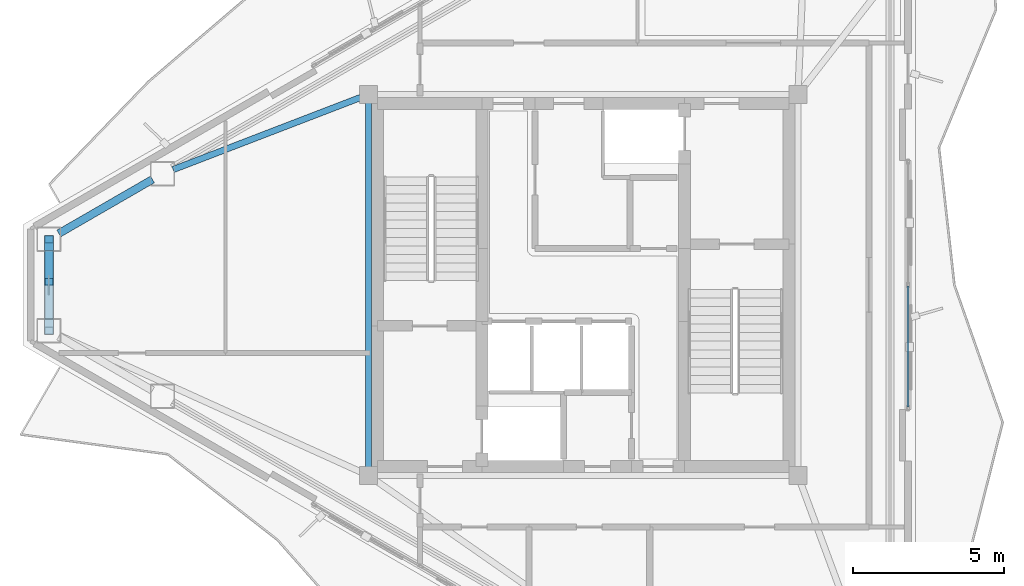
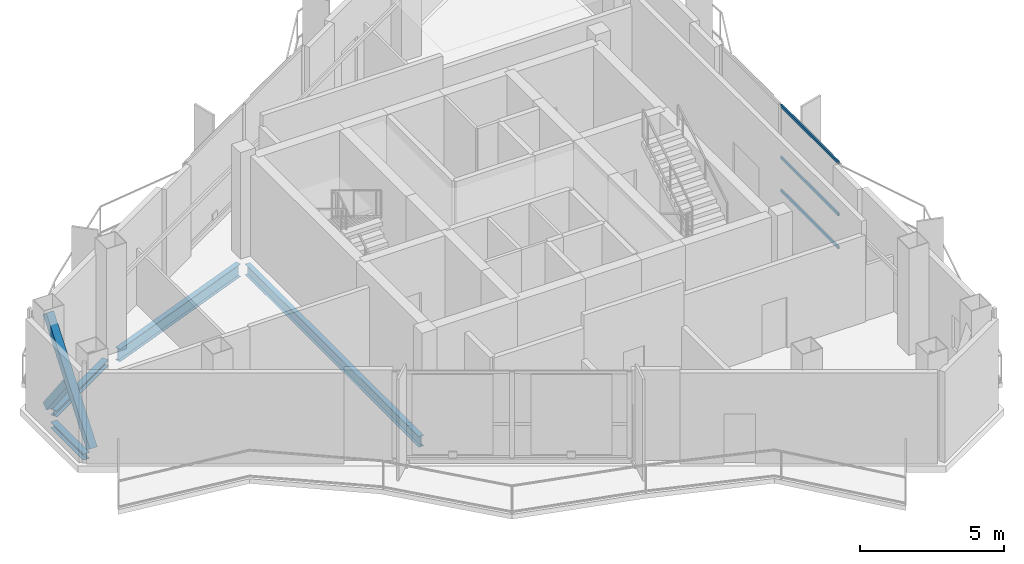
# One storey, part 5 of 14: 5 members, 4 beams, 1 element without a shape of its own.
"""IFC4 building model written with IfcOpenShell, lengths in metres."""

from ifc_helpers import new_model, si_unit, direction, frame, origin, origin_2d, place, context, subcontext, project, spatial, hollow_rectangle, i_section, extrude, material, layer, layer_set, material_profile, profile_set, type_object, element, aggregate, save


model = new_model("IFC4")

# Units and contexts
model_context = context("Model", 3, precision=1e-05, world=origin(), true_north=direction((0.0, 1.0)))
body_context = subcontext(model_context, "Body", "Model", "MODEL_VIEW")
ifc_project = project(units=[si_unit("LENGTHUNIT", "METRE"), si_unit("AREAUNIT", "SQUARE_METRE"), si_unit("VOLUMEUNIT", "CUBIC_METRE"), si_unit("PLANEANGLEUNIT", "RADIAN"), si_unit("MASSUNIT", "GRAM", prefix="KILO")], contexts=[model_context])

# Site, building, storey
site_placement = place(None, origin())
site = spatial("IfcSite", under=ifc_project, at=site_placement, CompositionType="ELEMENT")
building_placement = place(site_placement, origin())
building = spatial("IfcBuilding", under=site, at=building_placement, Name="Mersakhor Tower and Convention Hall", CompositionType="ELEMENT")
storey_placement = place(building_placement, frame((0.0, 0.0, 249.60009765625)))
storey = spatial("IfcBuildingStorey", under=building, at=storey_placement, Name="L70", CompositionType="ELEMENT", Elevation=249.60009765625)

# Beams
ifc_material_1 = material(Name="Steel S355", Category="steel")
ifc_material_profile_1 = material_profile(ifc_material_1, i_section(OverallWidth=0.19140625, OverallDepth=0.4599609375, WebThickness=0.010009765625, FlangeThickness=0.01611328125, at=origin_2d()), Name="UB 457x191x82")
ifc_profile_set_1 = profile_set([ifc_material_profile_1], Name="Steel S355")
beam_type_1 = type_object("IfcBeamType", Name="BM-FB-457", PredefinedType="BEAM", material=ifc_profile_set_1)
beam_1_placement = place(storey_placement, frame((21.89990234375, 20.72998046875, -0.510009765625), z_axis=(0.0, 1.0, 0.0), x_axis=(-1.0, 0.0, 0.0)))
element("IfcBeam", 1, at=beam_1_placement, inside=storey, type_object=beam_type_1, Name="L70 Core Ring Tie Beam CRB-1", PredefinedType="BEAM", context=body_context, shape_type="SweptSolid", body=[
    extrude(i_section(OverallWidth=0.19140625, OverallDepth=0.4599609375, WebThickness=0.010009765625, FlangeThickness=0.01611328125, at=origin_2d()), origin(), (0.0, 0.0, 1.0), 12.0400390625),
])
ifc_material_2 = material(Name="Steel S355", Category="steel")
ifc_material_profile_2 = material_profile(ifc_material_2, i_section(OverallWidth=0.2099609375, OverallDepth=0.53662109375, WebThickness=0.0107421875, FlangeThickness=0.017333984375, at=origin_2d()), Name="UB 533x210x101")
ifc_profile_set_2 = profile_set([ifc_material_profile_2], Name="Steel S355")
beam_type_2 = type_object("IfcBeamType", Name="BM-FB-533", PredefinedType="BEAM", material=ifc_profile_set_2)
beam_2_placement = place(storey_placement, frame((21.638671875, 32.949462890625, -0.548583984375), z_axis=(-0.933316231297, -0.359055444741, 0.0), x_axis=(0.359055444741, -0.933316231297, 0.0)))
element("IfcBeam", 2, at=beam_2_placement, inside=storey, type_object=beam_type_2, Name="L70 Primary Floor Girder FG-1", PredefinedType="BEAM", context=body_context, shape_type="SweptSolid", body=[
    extrude(i_section(OverallWidth=0.2099609375, OverallDepth=0.53662109375, WebThickness=0.0107421875, FlangeThickness=0.017333984375, at=origin_2d()), origin(), (0.0, 0.0, 1.0), 6.64111328125),
])
ifc_material_3 = material(Name="Steel S355", Category="steel")
ifc_material_profile_3 = material_profile(ifc_material_3, i_section(OverallWidth=0.25634765625, OverallDepth=0.26025390625, WebThickness=0.01025390625, FlangeThickness=0.017333984375, at=origin_2d()), Name="UC 254x254x89")
ifc_profile_set_3 = profile_set([ifc_material_profile_3], Name="Steel S355")
beam_type_3 = type_object("IfcBeamType", Name="BM-SPD-UC254", PredefinedType="SPANDREL", material=ifc_profile_set_3)
beam_3_placement = place(storey_placement, frame((11.6611328125, 28.451416015625, -0.41015625), z_axis=(0.866032030752, 0.499988521579, 0.0), x_axis=(-0.499988521579, 0.866032030752, 0.0)))
element("IfcBeam", 3, at=beam_3_placement, inside=storey, type_object=beam_type_3, Name="L70 Perimeter Spandrel Beam SPB-01", PredefinedType="SPANDREL", context=body_context, shape_type="SweptSolid", body=[
    extrude(i_section(OverallWidth=0.25634765625, OverallDepth=0.26025390625, WebThickness=0.01025390625, FlangeThickness=0.017333984375, at=origin_2d()), origin(), (0.0, 0.0, 1.0), 3.57421875),
])
beam_4_placement = place(storey_placement, frame((11.33203125, 25.61865234375, -0.41015625), z_axis=(0.0, 1.0, 0.0), x_axis=(-1.0, 0.0, 0.0)))
element("IfcBeam", 4, at=beam_4_placement, inside=storey, type_object=beam_type_3, Name="L70 Perimeter Spandrel Beam SPB-12", PredefinedType="SPANDREL", context=body_context, shape_type="SweptSolid", body=[
    extrude(i_section(OverallWidth=0.25634765625, OverallDepth=0.26025390625, WebThickness=0.01025390625, FlangeThickness=0.017333984375, at=origin_2d()), origin(), (0.0, 0.0, 1.0), 2.2626953125),
])

# Curtain wall, members
ifc_material_4 = material(Name="Dark solar low-E aluminium curtain wall", Category="aluminium")
ifc_layer = layer(ifc_material_4, 0.2099609375)
ifc_layer_set = layer_set([ifc_layer], Name="Dark solar low-E aluminium curtain wall")
curtain_wall_type = type_object("IfcCurtainWallType", Name="CW-SYS-06", PredefinedType="USERDEFINED", material=ifc_layer_set)
curtain_wall_placement = place(storey_placement, origin())
curtain_wall = element("IfcCurtainWall", 5, at=curtain_wall_placement, inside=storey, type_object=curtain_wall_type, Name="L70 Dark-Glass Curtain Wall F2-B2", ObjectType="CURTAIN WALL", PredefinedType="USERDEFINED")
ifc_material_5 = material(Name="Anodised aluminium EN AW-6063 T6", Category="aluminium")
ifc_material_profile_4 = material_profile(ifc_material_5, hollow_rectangle(XDim=0.06005859375, YDim=0.1201171875, WallThickness=0.0048828125, at=origin_2d()), Name="RHS 120x60x5")
ifc_profile_set_4 = profile_set([ifc_material_profile_4], Name="Anodised aluminium EN AW-6063 T6")
member_type_1 = type_object("IfcMemberType", Name="CWT-120x60", PredefinedType="USERDEFINED", material=ifc_profile_set_4)
member_1_placement = place(storey_placement, frame((39.742919921875, 26.7099609375, 0.22998046875), z_axis=(0.0, -1.0, 0.0), x_axis=(1.0, 0.0, 0.0)))
member_1 = element("IfcMember", 6, at=member_1_placement, type_object=member_type_1, Name="CW-06 transom 2.1", ObjectType="TRANSOM", PredefinedType="USERDEFINED", context=body_context, shape_type="SweptSolid", body=[
    extrude(hollow_rectangle(XDim=0.06005859375, YDim=0.1201171875, WallThickness=0.0048828125, at=origin_2d()), origin(), (0.0, 0.0, 1.0), 3.993896484375),
])
member_2_placement = place(storey_placement, frame((39.742919921875, 26.7099609375, 1.619873046875), z_axis=(0.0, -1.0, 0.0), x_axis=(1.0, 0.0, 0.0)))
member_2 = element("IfcMember", 7, at=member_2_placement, type_object=member_type_1, Name="CW-06 transom 2.2", ObjectType="TRANSOM", PredefinedType="USERDEFINED", context=body_context, shape_type="SweptSolid", body=[
    extrude(hollow_rectangle(XDim=0.06005859375, YDim=0.1201171875, WallThickness=0.0048828125, at=origin_2d()), origin(), (0.0, 0.0, 1.0), 3.993896484375),
])
member_3_placement = place(storey_placement, frame((39.742919921875, 26.7099609375, 3.809814453125), z_axis=(0.0, -1.0, 0.0), x_axis=(1.0, 0.0, 0.0)))
member_3 = element("IfcMember", 8, at=member_3_placement, type_object=member_type_1, Name="CW-06 transom 2.3", ObjectType="TRANSOM", PredefinedType="USERDEFINED", context=body_context, shape_type="SweptSolid", body=[
    extrude(hollow_rectangle(XDim=0.06005859375, YDim=0.1201171875, WallThickness=0.0048828125, at=origin_2d()), origin(), (0.0, 0.0, 1.0), 3.993896484375),
])
aggregate(curtain_wall, [member_1, member_2, member_3])

# Members
ifc_material_6 = material(Name="Steel S355", Category="steel")
ifc_material_profile_5 = material_profile(ifc_material_6, hollow_rectangle(XDim=0.300048828125, YDim=0.300048828125, WallThickness=0.01611328125, at=origin_2d()), Name="SHS 300x300x16")
ifc_profile_set_5 = profile_set([ifc_material_profile_5], Name="Steel S355")
member_type_2 = type_object("IfcMemberType", Name="MB-BRC-SHS300", PredefinedType="BRACE", material=ifc_profile_set_5)
member_4_placement = place(storey_placement, frame((11.33203125, 25.23876953125, 0.14990234375), z_axis=(0.0, 0.610616141859, 0.791926718391), x_axis=(-1.0, 0.0, 0.0)))
element("IfcMember", 9, at=member_4_placement, inside=storey, type_object=member_type_2, Name="L70 Chamfer Braced Frame Diagonal CB-3A", PredefinedType="BRACE", context=body_context, shape_type="SweptSolid", body=[
    extrude(hollow_rectangle(XDim=0.300048828125, YDim=0.300048828125, WallThickness=0.01611328125, at=origin_2d()), origin(), (0.0, 0.0, 1.0), 4.949951171875),
])
member_5_placement = place(storey_placement, frame((11.33203125, 28.26123046875, 0.14990234375), z_axis=(0.0, -0.610608601444, 0.791932532381), x_axis=(1.0, 0.0, 0.0)))
element("IfcMember", 10, at=member_5_placement, inside=storey, type_object=member_type_2, Name="L70 Chamfer Braced Frame Diagonal CB-3B Lower Half", PredefinedType="BRACE", context=body_context, shape_type="SweptSolid", body=[
    extrude(hollow_rectangle(XDim=0.300048828125, YDim=0.300048828125, WallThickness=0.01611328125, at=origin_2d()), origin(), (0.0, 0.0, 1.0), 2.311767578125),
])

save(model, "model.ifc")
